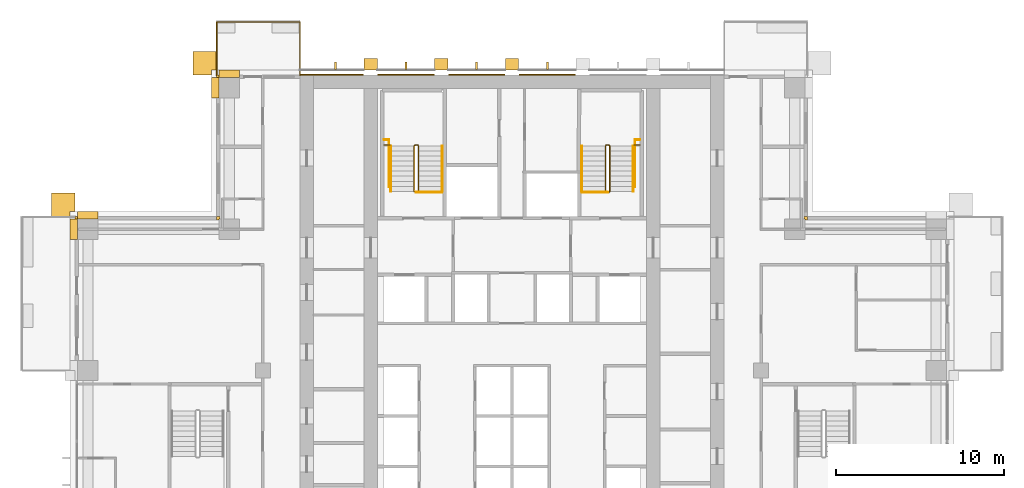
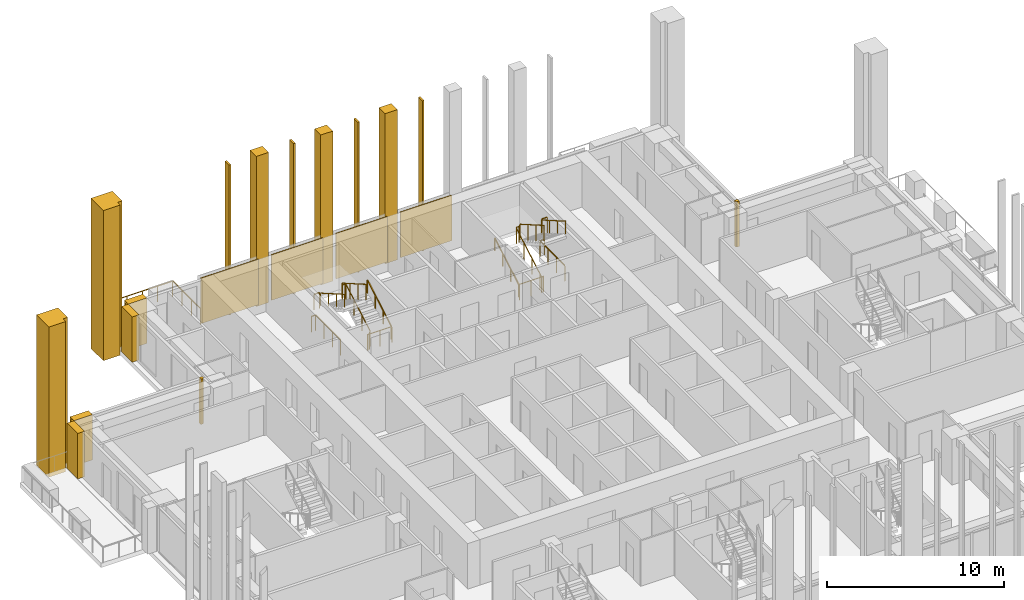
# One storey, part 17 of 18: 21 coverings, 13 railings.
"""IFC4 building model written with IfcOpenShell, lengths in metres."""

from ifc_helpers import new_model, si_unit, direction, frame, origin, origin_2d, place, context, subcontext, project, spatial, polyline, rectangle, outline, extrude, material, layer, layer_set, type_object, element, save


model = new_model("IFC4")

# Units and contexts
model_context = context("Model", 3, precision=1e-05, world=origin(), true_north=direction((0.0, 1.0)))
body_context = subcontext(model_context, "Body", "Model", "MODEL_VIEW")
ifc_project = project(units=[si_unit("LENGTHUNIT", "METRE"), si_unit("AREAUNIT", "SQUARE_METRE"), si_unit("VOLUMEUNIT", "CUBIC_METRE"), si_unit("PLANEANGLEUNIT", "RADIAN"), si_unit("MASSUNIT", "GRAM", prefix="KILO")], contexts=[model_context])

# Site, building, storey
site_placement = place(None, origin())
site = spatial("IfcSite", under=ifc_project, at=site_placement, CompositionType="ELEMENT")
building_placement = place(site_placement, origin())
building = spatial("IfcBuilding", under=site, at=building_placement, Name="Vermilion Ogive Tower", CompositionType="ELEMENT")
storey_placement = place(building_placement, frame((0.0, 0.0, 80.39990234375)))
storey = spatial("IfcBuildingStorey", under=building, at=storey_placement, Name="L19", CompositionType="ELEMENT", Elevation=80.39990234375)

# Railing
ifc_material_1 = material(Name="Stainless steel and glass", Category="steel")
railing_type_1 = type_object("IfcRailingType", Name="Balcony guard", PredefinedType="GUARDRAIL", material=ifc_material_1)
railing_1_placement = place(storey_placement, frame((-12.60009765625, 21.75, -0.039794921875)))
element("IfcRailing", 1, at=railing_1_placement, inside=storey, type_object=railing_type_1, Name="Guard N201", PredefinedType="GUARDRAIL", context=body_context, shape_type="SweptSolid", body=[
    extrude(rectangle(XDim=0.048095703125, YDim=0.048095703125, at=origin_2d()), frame((0.0, 0.0, 1.076171875), z_axis=(0.0, 1.0, 0.0), x_axis=(-1.0, 0.0, 0.0)), (0.0, 0.0, 1.0), 3.159912109375),
    extrude(rectangle(XDim=0.048095703125, YDim=0.048095703125, at=origin_2d()), frame((0.0, 3.159912109375, 1.076171875), z_axis=(-1.0, 0.0, 0.0), x_axis=(0.0, -1.0, 0.0)), (0.0, 0.0, 1.0), 4.949951171875),
    extrude(rectangle(XDim=0.048095703125, YDim=0.048095703125, at=origin_2d()), frame((-4.949951171875, 3.159912109375, 1.076171875), z_axis=(0.0, -1.0, 0.0), x_axis=(1.0, 0.0, 0.0)), (0.0, 0.0, 1.0), 3.159912109375),
    extrude(rectangle(XDim=0.0419921875, YDim=0.0419921875, at=origin_2d()), origin(), (0.0, 0.0, 1.0), 1.052001953125),
    extrude(rectangle(XDim=0.0419921875, YDim=0.0419921875, at=origin_2d()), frame((0.0, 1.05322265625, 0.0)), (0.0, 0.0, 1.0), 1.052001953125),
    extrude(rectangle(XDim=0.0419921875, YDim=0.0419921875, at=origin_2d()), frame((0.0, 2.106689453125, 0.0)), (0.0, 0.0, 1.0), 1.052001953125),
    extrude(rectangle(XDim=0.0419921875, YDim=0.0419921875, at=origin_2d()), frame((0.0, 3.159912109375, 0.0)), (0.0, 0.0, 1.0), 1.052001953125),
    extrude(rectangle(XDim=0.0419921875, YDim=0.0419921875, at=origin_2d()), frame((-0.989990234375, 3.159912109375, 0.0)), (0.0, 0.0, 1.0), 1.052001953125),
    extrude(rectangle(XDim=0.0419921875, YDim=0.0419921875, at=origin_2d()), frame((-1.97998046875, 3.159912109375, 0.0)), (0.0, 0.0, 1.0), 1.052001953125),
    extrude(rectangle(XDim=0.0419921875, YDim=0.0419921875, at=origin_2d()), frame((-2.969970703125, 3.159912109375, 0.0)), (0.0, 0.0, 1.0), 1.052001953125),
    extrude(rectangle(XDim=0.0419921875, YDim=0.0419921875, at=origin_2d()), frame((-3.9599609375, 3.159912109375, 0.0)), (0.0, 0.0, 1.0), 1.052001953125),
    extrude(rectangle(XDim=0.0419921875, YDim=0.0419921875, at=origin_2d()), frame((-4.949951171875, 3.159912109375, 0.0)), (0.0, 0.0, 1.0), 1.052001953125),
    extrude(rectangle(XDim=0.0419921875, YDim=0.0419921875, at=origin_2d()), frame((-4.949951171875, 2.106689453125, 0.0)), (0.0, 0.0, 1.0), 1.052001953125),
    extrude(rectangle(XDim=0.0419921875, YDim=0.0419921875, at=origin_2d()), frame((-4.949951171875, 1.05322265625, 0.0)), (0.0, 0.0, 1.0), 1.052001953125),
    extrude(rectangle(XDim=0.0419921875, YDim=0.0419921875, at=origin_2d()), frame((-4.949951171875, 0.0, 0.0)), (0.0, 0.0, 1.0), 1.052001953125),
])

# Coverings
ifc_material_2 = material(Name="Glazed ceramic screen")
ifc_layer = layer(ifc_material_2, 0.14990234375)
ifc_layer_set = layer_set([ifc_layer], Name="Ceramic solar screen fin")
covering_type_1 = type_object("IfcCoveringType", Name="Ceramic solar screen fin", PredefinedType="CLADDING", material=ifc_layer_set)
covering_1_placement = place(storey_placement, frame((0.0, 0.0, -0.31982421875)))
element("IfcCovering", 2, at=covering_1_placement, inside=storey, type_object=covering_type_1, Name="Solar screen blade N1", PredefinedType="CLADDING", context=body_context, shape_type="SweptSolid", body=[
    extrude(outline(polyline([(-10.56005859375, 22.08203125), (-10.43994140625, 22.08203125), (-10.43994140625, 22.531982421875), (-10.56005859375, 22.531982421875), (-10.56005859375, 22.08203125)])), origin(), (0.0, 0.0, 1.0), 10.349853515625),
])
covering_2_placement = place(storey_placement, frame((0.0, 0.0, -0.31982421875)))
element("IfcCovering", 3, at=covering_2_placement, inside=storey, type_object=covering_type_1, Name="Solar screen blade N2", PredefinedType="CLADDING", context=body_context, shape_type="SweptSolid", body=[
    extrude(outline(polyline([(-6.360107421875, 22.08203125), (-6.239990234375, 22.08203125), (-6.239990234375, 22.531982421875), (-6.360107421875, 22.531982421875), (-6.360107421875, 22.08203125)])), origin(), (0.0, 0.0, 1.0), 10.349853515625),
])
covering_3_placement = place(storey_placement, frame((0.0, 0.0, -0.31982421875)))
element("IfcCovering", 4, at=covering_3_placement, inside=storey, type_object=covering_type_1, Name="Solar screen blade N3", PredefinedType="CLADDING", context=body_context, shape_type="SweptSolid", body=[
    extrude(outline(polyline([(-2.159912109375, 22.08203125), (-2.0400390625, 22.08203125), (-2.0400390625, 22.531982421875), (-2.159912109375, 22.531982421875), (-2.159912109375, 22.08203125)])), origin(), (0.0, 0.0, 1.0), 10.349853515625),
])
covering_4_placement = place(storey_placement, frame((0.0, 0.0, -0.31982421875)))
element("IfcCovering", 5, at=covering_4_placement, inside=storey, type_object=covering_type_1, Name="Solar screen blade N4", PredefinedType="CLADDING", context=body_context, shape_type="SweptSolid", body=[
    extrude(outline(polyline([(2.0400390625, 22.08203125), (2.159912109375, 22.08203125), (2.159912109375, 22.531982421875), (2.0400390625, 22.531982421875), (2.0400390625, 22.08203125)])), origin(), (0.0, 0.0, 1.0), 10.349853515625),
])

# Railings
ifc_material_3 = material(Name="Steel S355 painted", Category="steel")
railing_type_2 = type_object("IfcRailingType", Name="Stair guard 1100", PredefinedType="GUARDRAIL", material=ifc_material_3)
railing_2_placement = place(storey_placement, frame((-5.75, 14.800048828125, 0.0)))
element("IfcRailing", 6, at=railing_2_placement, inside=storey, type_object=railing_type_2, Name="L19 ST1 stair guard 4", PredefinedType="GUARDRAIL", context=body_context, shape_type="SweptSolid", body=[
    extrude(rectangle(XDim=0.048095703125, YDim=0.048095703125, at=origin_2d()), frame((0.0, 0.0, 1.076171875), z_axis=(1.0, 0.0, 0.0), x_axis=(0.0, 1.0, 0.0)), (0.0, 0.0, 1.0), 0.14990234375),
    extrude(rectangle(XDim=0.048095703125, YDim=0.048095703125, at=origin_2d()), frame((0.14990234375, 0.0, 1.076171875), z_axis=(0.268277960024, 0.268277960024, 0.925231793839), x_axis=(-0.707106781187, 0.707106781187, 0.0)), (0.0, 0.0, 1.0), 0.1865234375),
    extrude(rectangle(XDim=0.048095703125, YDim=0.048095703125, at=origin_2d()), frame((0.199951171875, 0.050048828125, 1.24853515625), z_axis=(0.0, 0.866903762492, 0.498475542607), x_axis=(-1.0, 0.0, 0.0)), (0.0, 0.0, 1.0), 3.114501953125),
    extrude(rectangle(XDim=0.048095703125, YDim=0.048095703125, at=origin_2d()), frame((0.199951171875, 2.75, 2.80126953125), z_axis=(-0.707106781187, 0.707106781187, 0.0), x_axis=(-0.707106781187, -0.707106781187, 0.0)), (0.0, 0.0, 1.0), 0.07080078125),
    extrude(rectangle(XDim=0.048095703125, YDim=0.048095703125, at=origin_2d()), frame((0.14990234375, 2.800048828125, 2.80126953125), z_axis=(-1.0, 0.0, 0.0), x_axis=(0.0, -1.0, 0.0)), (0.0, 0.0, 1.0), 0.14990234375),
    extrude(rectangle(XDim=0.048095703125, YDim=0.048095703125, at=origin_2d()), frame((0.0, 2.800048828125, 2.80126953125), z_axis=(-0.268277960024, -0.268277960024, 0.925231793839), x_axis=(0.707106781187, -0.707106781187, 0.0)), (0.0, 0.0, 1.0), 0.1865234375),
    extrude(rectangle(XDim=0.048095703125, YDim=0.048095703125, at=origin_2d()), frame((-0.050048828125, 2.75, 2.9736328125), z_axis=(0.0, -0.866903762492, 0.498475542607), x_axis=(1.0, 0.0, 0.0)), (0.0, 0.0, 1.0), 3.114501953125),
    extrude(rectangle(XDim=0.0419921875, YDim=0.0419921875, at=origin_2d()), origin(), (0.0, 0.0, 1.0), 1.052001953125),
    extrude(rectangle(XDim=0.0419921875, YDim=0.0419921875, at=origin_2d()), frame((0.14990234375, 0.0, 0.0)), (0.0, 0.0, 1.0), 1.052001953125),
    extrude(rectangle(XDim=0.0419921875, YDim=0.0419921875, at=origin_2d()), frame((0.199951171875, 0.050048828125, 0.172607421875)), (0.0, 0.0, 1.0), 1.052001953125),
    extrude(rectangle(XDim=0.0419921875, YDim=0.0419921875, at=origin_2d()), frame((0.199951171875, 0.949951171875, 0.690185546875)), (0.0, 0.0, 1.0), 1.052001953125),
    extrude(rectangle(XDim=0.0419921875, YDim=0.0419921875, at=origin_2d()), frame((0.199951171875, 1.85009765625, 1.20751953125)), (0.0, 0.0, 1.0), 1.052001953125),
    extrude(rectangle(XDim=0.0419921875, YDim=0.0419921875, at=origin_2d()), frame((0.199951171875, 2.75, 1.72509765625)), (0.0, 0.0, 1.0), 1.052001953125),
    extrude(rectangle(XDim=0.0419921875, YDim=0.0419921875, at=origin_2d()), frame((0.14990234375, 2.800048828125, 1.72509765625)), (0.0, 0.0, 1.0), 1.052001953125),
    extrude(rectangle(XDim=0.0419921875, YDim=0.0419921875, at=origin_2d()), frame((0.0, 2.800048828125, 1.72509765625)), (0.0, 0.0, 1.0), 1.052001953125),
    extrude(rectangle(XDim=0.0419921875, YDim=0.0419921875, at=origin_2d()), frame((-0.050048828125, 2.75, 1.897705078125)), (0.0, 0.0, 1.0), 1.052001953125),
    extrude(rectangle(XDim=0.0419921875, YDim=0.0419921875, at=origin_2d()), frame((-0.050048828125, 1.85009765625, 2.415283203125)), (0.0, 0.0, 1.0), 1.052001953125),
    extrude(rectangle(XDim=0.0419921875, YDim=0.0419921875, at=origin_2d()), frame((-0.050048828125, 0.949951171875, 2.9326171875)), (0.0, 0.0, 1.0), 1.052001953125),
    extrude(rectangle(XDim=0.0419921875, YDim=0.0419921875, at=origin_2d()), frame((-0.050048828125, 0.050048828125, 3.4501953125)), (0.0, 0.0, 1.0), 1.052001953125),
])
railing_3_placement = place(storey_placement, frame((5.75, 14.800048828125, 0.0)))
element("IfcRailing", 7, at=railing_3_placement, inside=storey, type_object=railing_type_2, Name="L19 ST2 stair guard 4", PredefinedType="GUARDRAIL", context=body_context, shape_type="SweptSolid", body=[
    extrude(rectangle(XDim=0.048095703125, YDim=0.048095703125, at=origin_2d()), frame((0.0, 0.0, 1.076171875), z_axis=(-1.0, 0.0, 0.0), x_axis=(0.0, -1.0, 0.0)), (0.0, 0.0, 1.0), 0.14990234375),
    extrude(rectangle(XDim=0.048095703125, YDim=0.048095703125, at=origin_2d()), frame((-0.14990234375, 0.0, 1.076171875), z_axis=(-0.268277960024, 0.268277960024, 0.925231793839), x_axis=(-0.707106781187, -0.707106781187, 0.0)), (0.0, 0.0, 1.0), 0.1865234375),
    extrude(rectangle(XDim=0.048095703125, YDim=0.048095703125, at=origin_2d()), frame((-0.199951171875, 0.050048828125, 1.24853515625), z_axis=(0.0, 0.866903762492, 0.498475542607), x_axis=(-1.0, 0.0, 0.0)), (0.0, 0.0, 1.0), 3.114501953125),
    extrude(rectangle(XDim=0.048095703125, YDim=0.048095703125, at=origin_2d()), frame((-0.199951171875, 2.75, 2.80126953125), z_axis=(0.707106781187, 0.707106781187, 0.0), x_axis=(-0.707106781187, 0.707106781187, 0.0)), (0.0, 0.0, 1.0), 0.07080078125),
    extrude(rectangle(XDim=0.048095703125, YDim=0.048095703125, at=origin_2d()), frame((-0.14990234375, 2.800048828125, 2.80126953125), z_axis=(1.0, 0.0, 0.0), x_axis=(0.0, 1.0, 0.0)), (0.0, 0.0, 1.0), 0.14990234375),
    extrude(rectangle(XDim=0.048095703125, YDim=0.048095703125, at=origin_2d()), frame((0.0, 2.800048828125, 2.80126953125), z_axis=(0.268277960024, -0.268277960024, 0.925231793839), x_axis=(0.707106781187, 0.707106781187, 0.0)), (0.0, 0.0, 1.0), 0.1865234375),
    extrude(rectangle(XDim=0.048095703125, YDim=0.048095703125, at=origin_2d()), frame((0.050048828125, 2.75, 2.9736328125), z_axis=(0.0, -0.866903762492, 0.498475542607), x_axis=(1.0, 0.0, 0.0)), (0.0, 0.0, 1.0), 3.114501953125),
    extrude(rectangle(XDim=0.0419921875, YDim=0.0419921875, at=origin_2d()), origin(), (0.0, 0.0, 1.0), 1.052001953125),
    extrude(rectangle(XDim=0.0419921875, YDim=0.0419921875, at=origin_2d()), frame((-0.14990234375, 0.0, 0.0)), (0.0, 0.0, 1.0), 1.052001953125),
    extrude(rectangle(XDim=0.0419921875, YDim=0.0419921875, at=origin_2d()), frame((-0.199951171875, 0.050048828125, 0.172607421875)), (0.0, 0.0, 1.0), 1.052001953125),
    extrude(rectangle(XDim=0.0419921875, YDim=0.0419921875, at=origin_2d()), frame((-0.199951171875, 0.949951171875, 0.690185546875)), (0.0, 0.0, 1.0), 1.052001953125),
    extrude(rectangle(XDim=0.0419921875, YDim=0.0419921875, at=origin_2d()), frame((-0.199951171875, 1.85009765625, 1.20751953125)), (0.0, 0.0, 1.0), 1.052001953125),
    extrude(rectangle(XDim=0.0419921875, YDim=0.0419921875, at=origin_2d()), frame((-0.199951171875, 2.75, 1.72509765625)), (0.0, 0.0, 1.0), 1.052001953125),
    extrude(rectangle(XDim=0.0419921875, YDim=0.0419921875, at=origin_2d()), frame((-0.14990234375, 2.800048828125, 1.72509765625)), (0.0, 0.0, 1.0), 1.052001953125),
    extrude(rectangle(XDim=0.0419921875, YDim=0.0419921875, at=origin_2d()), frame((0.0, 2.800048828125, 1.72509765625)), (0.0, 0.0, 1.0), 1.052001953125),
    extrude(rectangle(XDim=0.0419921875, YDim=0.0419921875, at=origin_2d()), frame((0.050048828125, 2.75, 1.897705078125)), (0.0, 0.0, 1.0), 1.052001953125),
    extrude(rectangle(XDim=0.0419921875, YDim=0.0419921875, at=origin_2d()), frame((0.050048828125, 1.85009765625, 2.415283203125)), (0.0, 0.0, 1.0), 1.052001953125),
    extrude(rectangle(XDim=0.0419921875, YDim=0.0419921875, at=origin_2d()), frame((0.050048828125, 0.949951171875, 2.9326171875)), (0.0, 0.0, 1.0), 1.052001953125),
    extrude(rectangle(XDim=0.0419921875, YDim=0.0419921875, at=origin_2d()), frame((0.050048828125, 0.050048828125, 3.4501953125)), (0.0, 0.0, 1.0), 1.052001953125),
])
for number, where, name in (
    (8, (-7.60009765625, 17.60009765625, 1.72509765625), "L19 landing guard"),
    (9, (7.25, 17.60009765625, 1.72509765625), "L19 landing guard"),
):
    element("IfcRailing", number, at=place(storey_placement, frame(where)), inside=storey, type_object=railing_type_2, Name=name, PredefinedType="GUARDRAIL", context=body_context, shape_type="SweptSolid", body=[
        extrude(rectangle(XDim=0.048095703125, YDim=0.048095703125, at=origin_2d()), frame((0.0, 0.0, 1.076171875), z_axis=(1.0, 0.0, 0.0), x_axis=(0.0, 1.0, 0.0)), (0.0, 0.0, 1.0), 0.35009765625),
        extrude(rectangle(XDim=0.0419921875, YDim=0.0419921875, at=origin_2d()), origin(), (0.0, 0.0, 1.0), 1.052001953125),
        extrude(rectangle(XDim=0.0419921875, YDim=0.0419921875, at=origin_2d()), frame((0.35009765625, 0.0, 0.0)), (0.0, 0.0, 1.0), 1.052001953125),
    ])
railing_4_placement = place(storey_placement, frame((-4.159912109375, 14.7900390625, 0.0)))
element("IfcRailing", 10, at=railing_4_placement, inside=storey, type_object=railing_type_2, Name="L19 stair opening guard", PredefinedType="GUARDRAIL", context=body_context, shape_type="SweptSolid", body=[
    extrude(rectangle(XDim=0.048095703125, YDim=0.048095703125, at=origin_2d()), frame((0.0, 0.0, 1.076171875), z_axis=(-1.0, 0.0, 0.0), x_axis=(0.0, -1.0, 0.0)), (0.0, 0.0, 1.0), 1.5400390625),
    extrude(rectangle(XDim=0.0419921875, YDim=0.0419921875, at=origin_2d()), origin(), (0.0, 0.0, 1.0), 1.052001953125),
    extrude(rectangle(XDim=0.0419921875, YDim=0.0419921875, at=origin_2d()), frame((-0.77001953125, 0.0, 0.0)), (0.0, 0.0, 1.0), 1.052001953125),
    extrude(rectangle(XDim=0.0419921875, YDim=0.0419921875, at=origin_2d()), frame((-1.5400390625, 0.0, 0.0)), (0.0, 0.0, 1.0), 1.052001953125),
])
railing_5_placement = place(storey_placement, frame((-7.309814453125, 15.119384765625, 0.0)))
element("IfcRailing", 11, at=railing_5_placement, inside=storey, type_object=railing_type_2, Name="L19 stair opening guard", PredefinedType="GUARDRAIL", context=body_context, shape_type="SweptSolid", body=[
    extrude(rectangle(XDim=0.048095703125, YDim=0.048095703125, at=origin_2d()), frame((0.0, 0.0, 1.076171875), z_axis=(0.0, 1.0, 0.0), x_axis=(-1.0, 0.0, 0.0)), (0.0, 0.0, 1.0), 2.804443359375),
    extrude(rectangle(XDim=0.048095703125, YDim=0.048095703125, at=origin_2d()), frame((0.0, 2.804443359375, 1.076171875), z_axis=(-1.0, 0.0, 0.0), x_axis=(0.0, -1.0, 0.0)), (0.0, 0.0, 1.0), 0.289794921875),
    extrude(rectangle(XDim=0.0419921875, YDim=0.0419921875, at=origin_2d()), origin(), (0.0, 0.0, 1.0), 1.052001953125),
    extrude(rectangle(XDim=0.0419921875, YDim=0.0419921875, at=origin_2d()), frame((0.0, 0.934814453125, 0.0)), (0.0, 0.0, 1.0), 1.052001953125),
    extrude(rectangle(XDim=0.0419921875, YDim=0.0419921875, at=origin_2d()), frame((0.0, 1.86962890625, 0.0)), (0.0, 0.0, 1.0), 1.052001953125),
    extrude(rectangle(XDim=0.0419921875, YDim=0.0419921875, at=origin_2d()), frame((0.0, 2.804443359375, 0.0)), (0.0, 0.0, 1.0), 1.052001953125),
    extrude(rectangle(XDim=0.0419921875, YDim=0.0419921875, at=origin_2d()), frame((-0.289794921875, 2.804443359375, 0.0)), (0.0, 0.0, 1.0), 1.052001953125),
])
railing_6_placement = place(storey_placement, frame((7.599609375, 17.923828125, 0.0)))
element("IfcRailing", 12, at=railing_6_placement, inside=storey, type_object=railing_type_2, Name="L19 stair opening guard", PredefinedType="GUARDRAIL", context=body_context, shape_type="SweptSolid", body=[
    extrude(rectangle(XDim=0.048095703125, YDim=0.048095703125, at=origin_2d()), frame((0.0, 0.0, 1.076171875), z_axis=(-1.0, 0.0, 0.0), x_axis=(0.0, -1.0, 0.0)), (0.0, 0.0, 1.0), 0.289794921875),
    extrude(rectangle(XDim=0.048095703125, YDim=0.048095703125, at=origin_2d()), frame((-0.289794921875, 0.0, 1.076171875), z_axis=(0.0, -1.0, 0.0), x_axis=(1.0, 0.0, 0.0)), (0.0, 0.0, 1.0), 2.804443359375),
    extrude(rectangle(XDim=0.0419921875, YDim=0.0419921875, at=origin_2d()), origin(), (0.0, 0.0, 1.0), 1.052001953125),
    extrude(rectangle(XDim=0.0419921875, YDim=0.0419921875, at=origin_2d()), frame((-0.289794921875, 0.0, 0.0)), (0.0, 0.0, 1.0), 1.052001953125),
    extrude(rectangle(XDim=0.0419921875, YDim=0.0419921875, at=origin_2d()), frame((-0.289794921875, -0.934814453125, 0.0)), (0.0, 0.0, 1.0), 1.052001953125),
    extrude(rectangle(XDim=0.0419921875, YDim=0.0419921875, at=origin_2d()), frame((-0.289794921875, -1.86962890625, 0.0)), (0.0, 0.0, 1.0), 1.052001953125),
    extrude(rectangle(XDim=0.0419921875, YDim=0.0419921875, at=origin_2d()), frame((-0.289794921875, -2.804443359375, 0.0)), (0.0, 0.0, 1.0), 1.052001953125),
])
railing_7_placement = place(storey_placement, frame((5.699951171875, 14.7900390625, 0.0)))
element("IfcRailing", 13, at=railing_7_placement, inside=storey, type_object=railing_type_2, Name="L19 stair opening guard", PredefinedType="GUARDRAIL", context=body_context, shape_type="SweptSolid", body=[
    extrude(rectangle(XDim=0.048095703125, YDim=0.048095703125, at=origin_2d()), frame((0.0, 0.0, 1.076171875), z_axis=(-1.0, 0.0, 0.0), x_axis=(0.0, -1.0, 0.0)), (0.0, 0.0, 1.0), 1.5400390625),
    extrude(rectangle(XDim=0.0419921875, YDim=0.0419921875, at=origin_2d()), origin(), (0.0, 0.0, 1.0), 1.052001953125),
    extrude(rectangle(XDim=0.0419921875, YDim=0.0419921875, at=origin_2d()), frame((-0.77001953125, 0.0, 0.0)), (0.0, 0.0, 1.0), 1.052001953125),
    extrude(rectangle(XDim=0.0419921875, YDim=0.0419921875, at=origin_2d()), frame((-1.5400390625, 0.0, 0.0)), (0.0, 0.0, 1.0), 1.052001953125),
])
ifc_material_4 = material(Name="Stainless steel", Category="steel")
railing_type_3 = type_object("IfcRailingType", Name="Stair handrail 900", PredefinedType="HANDRAIL", material=ifc_material_4)
railing_8_placement = place(storey_placement, frame((-4.14990234375, 14.85009765625, 0.172607421875)))
element("IfcRailing", 14, at=railing_8_placement, inside=storey, type_object=railing_type_3, Name="L19 ST1 stair handrail 1", PredefinedType="HANDRAIL", context=body_context, shape_type="SweptSolid", body=[
    extrude(rectangle(XDim=0.048095703125, YDim=0.048095703125, at=origin_2d()), frame((0.0, 0.0, 0.8759765625), z_axis=(0.0, 0.866903762492, 0.498475542607), x_axis=(-1.0, 0.0, 0.0)), (0.0, 0.0, 1.0), 3.114501953125),
    extrude(rectangle(XDim=0.0419921875, YDim=0.0419921875, at=origin_2d()), origin(), (0.0, 0.0, 1.0), 0.851806640625),
    extrude(rectangle(XDim=0.0419921875, YDim=0.0419921875, at=origin_2d()), frame((0.0, 0.89990234375, 0.517578125)), (0.0, 0.0, 1.0), 0.851806640625),
    extrude(rectangle(XDim=0.0419921875, YDim=0.0419921875, at=origin_2d()), frame((0.0, 1.800048828125, 1.034912109375)), (0.0, 0.0, 1.0), 0.851806640625),
    extrude(rectangle(XDim=0.0419921875, YDim=0.0419921875, at=origin_2d()), frame((0.0, 2.699951171875, 1.552490234375)), (0.0, 0.0, 1.0), 0.851806640625),
])
railing_9_placement = place(storey_placement, frame((-7.199951171875, 17.550048828125, 1.897705078125)))
element("IfcRailing", 15, at=railing_9_placement, inside=storey, type_object=railing_type_3, Name="L19 ST1 stair handrail 2", PredefinedType="HANDRAIL", context=body_context, shape_type="SweptSolid", body=[
    extrude(rectangle(XDim=0.048095703125, YDim=0.048095703125, at=origin_2d()), frame((0.0, 0.0, 0.8759765625), z_axis=(0.0, -0.866903762492, 0.498475542607), x_axis=(1.0, 0.0, 0.0)), (0.0, 0.0, 1.0), 3.114501953125),
    extrude(rectangle(XDim=0.0419921875, YDim=0.0419921875, at=origin_2d()), origin(), (0.0, 0.0, 1.0), 0.851806640625),
    extrude(rectangle(XDim=0.0419921875, YDim=0.0419921875, at=origin_2d()), frame((0.0, -0.89990234375, 0.517578125)), (0.0, 0.0, 1.0), 0.851806640625),
    extrude(rectangle(XDim=0.0419921875, YDim=0.0419921875, at=origin_2d()), frame((0.0, -1.800048828125, 1.034912109375)), (0.0, 0.0, 1.0), 0.851806640625),
    extrude(rectangle(XDim=0.0419921875, YDim=0.0419921875, at=origin_2d()), frame((0.0, -2.699951171875, 1.552490234375)), (0.0, 0.0, 1.0), 0.851806640625),
])
railing_10_placement = place(storey_placement, frame((4.14990234375, 14.85009765625, 0.172607421875)))
element("IfcRailing", 16, at=railing_10_placement, inside=storey, type_object=railing_type_3, Name="L19 ST2 stair handrail 1", PredefinedType="HANDRAIL", context=body_context, shape_type="SweptSolid", body=[
    extrude(rectangle(XDim=0.048095703125, YDim=0.048095703125, at=origin_2d()), frame((0.0, 0.0, 0.8759765625), z_axis=(0.0, 0.866903762492, 0.498475542607), x_axis=(-1.0, 0.0, 0.0)), (0.0, 0.0, 1.0), 3.114501953125),
    extrude(rectangle(XDim=0.0419921875, YDim=0.0419921875, at=origin_2d()), origin(), (0.0, 0.0, 1.0), 0.851806640625),
    extrude(rectangle(XDim=0.0419921875, YDim=0.0419921875, at=origin_2d()), frame((0.0, 0.89990234375, 0.517578125)), (0.0, 0.0, 1.0), 0.851806640625),
    extrude(rectangle(XDim=0.0419921875, YDim=0.0419921875, at=origin_2d()), frame((0.0, 1.800048828125, 1.034912109375)), (0.0, 0.0, 1.0), 0.851806640625),
    extrude(rectangle(XDim=0.0419921875, YDim=0.0419921875, at=origin_2d()), frame((0.0, 2.699951171875, 1.552490234375)), (0.0, 0.0, 1.0), 0.851806640625),
])
railing_11_placement = place(storey_placement, frame((7.199951171875, 17.550048828125, 1.897705078125)))
element("IfcRailing", 17, at=railing_11_placement, inside=storey, type_object=railing_type_3, Name="L19 ST2 stair handrail 2", PredefinedType="HANDRAIL", context=body_context, shape_type="SweptSolid", body=[
    extrude(rectangle(XDim=0.048095703125, YDim=0.048095703125, at=origin_2d()), frame((0.0, 0.0, 0.8759765625), z_axis=(0.0, -0.866903762492, 0.498475542607), x_axis=(1.0, 0.0, 0.0)), (0.0, 0.0, 1.0), 3.114501953125),
    extrude(rectangle(XDim=0.0419921875, YDim=0.0419921875, at=origin_2d()), origin(), (0.0, 0.0, 1.0), 0.851806640625),
    extrude(rectangle(XDim=0.0419921875, YDim=0.0419921875, at=origin_2d()), frame((0.0, -0.89990234375, 0.517578125)), (0.0, 0.0, 1.0), 0.851806640625),
    extrude(rectangle(XDim=0.0419921875, YDim=0.0419921875, at=origin_2d()), frame((0.0, -1.800048828125, 1.034912109375)), (0.0, 0.0, 1.0), 0.851806640625),
    extrude(rectangle(XDim=0.0419921875, YDim=0.0419921875, at=origin_2d()), frame((0.0, -2.699951171875, 1.552490234375)), (0.0, 0.0, 1.0), 0.851806640625),
])

# Coverings
ifc_material_5 = material(Name="Stone cladding", Category="masonry")
covering_type_2 = type_object("IfcCoveringType", Name="Stone buttress pier", PredefinedType="CLADDING", material=ifc_material_5)
covering_5_placement = place(storey_placement, frame((0.0, 0.0, -0.31982421875)))
element("IfcCovering", 18, at=covering_5_placement, inside=storey, type_object=covering_type_2, Name="Stone buttress pier N1", PredefinedType="CLADDING", context=body_context, shape_type="SweptSolid", body=[
    extrude(outline(polyline([(-8.0, 22.75), (-8.0, 22.050048828125), (-8.800048828125, 22.050048828125), (-8.800048828125, 22.75), (-8.0, 22.75)])), origin(), (0.0, 0.0, 1.0), 10.349853515625),
])
covering_6_placement = place(storey_placement, frame((0.0, 0.0, -0.31982421875)))
element("IfcCovering", 19, at=covering_6_placement, inside=storey, type_object=covering_type_2, Name="Stone buttress pier N2", PredefinedType="CLADDING", context=body_context, shape_type="SweptSolid", body=[
    extrude(outline(polyline([(-3.800048828125, 22.75), (-3.800048828125, 22.050048828125), (-4.60009765625, 22.050048828125), (-4.60009765625, 22.75), (-3.800048828125, 22.75)])), origin(), (0.0, 0.0, 1.0), 10.349853515625),
])
covering_7_placement = place(storey_placement, frame((0.0, 0.0, -0.31982421875)))
element("IfcCovering", 20, at=covering_7_placement, inside=storey, type_object=covering_type_2, Name="Stone buttress pier N3", PredefinedType="CLADDING", context=body_context, shape_type="SweptSolid", body=[
    extrude(outline(polyline([(0.39990234375, 22.75), (0.39990234375, 22.050048828125), (-0.39990234375, 22.050048828125), (-0.39990234375, 22.75), (0.39990234375, 22.75)])), origin(), (0.0, 0.0, 1.0), 10.349853515625),
])
ifc_material_6 = material(Name="Stone cladding", Category="masonry")
covering_type_3 = type_object("IfcCoveringType", Name="Stone cladding panel", PredefinedType="CLADDING", material=ifc_material_6)
covering_8_placement = place(storey_placement, origin())
element("IfcCovering", 21, at=covering_8_placement, inside=storey, type_object=covering_type_3, Name="Stone cladding panel N1", PredefinedType="CLADDING", context=body_context, shape_type="SweptSolid", body=[
    extrude(outline(polyline([(-12.590087890625, 21.75), (-8.830078125, 21.75), (-8.830078125, 21.81005859375), (-12.590087890625, 21.81005859375), (-12.590087890625, 21.75)])), origin(), (0.0, 0.0, 1.0), 3.130126953125),
])
covering_9_placement = place(storey_placement, origin())
element("IfcCovering", 22, at=covering_9_placement, inside=storey, type_object=covering_type_3, Name="Stone cladding panel N2", PredefinedType="CLADDING", context=body_context, shape_type="SweptSolid", body=[
    extrude(outline(polyline([(-7.969970703125, 21.75), (-4.6298828125, 21.75), (-4.6298828125, 21.81005859375), (-7.969970703125, 21.81005859375), (-7.969970703125, 21.75)])), origin(), (0.0, 0.0, 1.0), 3.130126953125),
])
covering_10_placement = place(storey_placement, origin())
element("IfcCovering", 23, at=covering_10_placement, inside=storey, type_object=covering_type_3, Name="Stone cladding panel N3", PredefinedType="CLADDING", context=body_context, shape_type="SweptSolid", body=[
    extrude(outline(polyline([(-3.77001953125, 21.75), (-0.429931640625, 21.75), (-0.429931640625, 21.81005859375), (-3.77001953125, 21.81005859375), (-3.77001953125, 21.75)])), origin(), (0.0, 0.0, 1.0), 3.130126953125),
])
covering_11_placement = place(storey_placement, origin())
element("IfcCovering", 24, at=covering_11_placement, inside=storey, type_object=covering_type_3, Name="Stone cladding panel N4", PredefinedType="CLADDING", context=body_context, shape_type="SweptSolid", body=[
    extrude(outline(polyline([(0.429931640625, 21.75), (3.77001953125, 21.75), (3.77001953125, 21.81005859375), (0.429931640625, 21.81005859375), (0.429931640625, 21.75)])), origin(), (0.0, 0.0, 1.0), 3.130126953125),
])
ifc_material_7 = material(Name="Stone cladding", Category="masonry")
covering_type_4 = type_object("IfcCoveringType", Name="Stone corner buttress", PredefinedType="CLADDING", material=ifc_material_7)
covering_12_placement = place(storey_placement, frame((0.0, 0.0, -0.31982421875)))
element("IfcCovering", 25, at=covering_12_placement, inside=storey, type_object=covering_type_4, Name="Stone corner buttress X51", PredefinedType="CLADDING", context=body_context, shape_type="SweptSolid", body=[
    extrude(outline(polyline([(-17.550048828125, 23.14990234375), (-17.550048828125, 22.050048828125), (-17.85009765625, 22.050048828125), (-17.85009765625, 21.75), (-18.949951171875, 21.75), (-18.949951171875, 23.14990234375), (-17.550048828125, 23.14990234375)])), origin(), (0.0, 0.0, 1.0), 10.349853515625),
])
covering_13_placement = place(storey_placement, frame((0.0, 0.0, -0.31982421875)))
element("IfcCovering", 26, at=covering_13_placement, inside=storey, type_object=covering_type_4, Name="Stone corner buttress W1", PredefinedType="CLADDING", context=body_context, shape_type="SweptSolid", body=[
    extrude(outline(polyline([(-26.25, 13.64990234375), (-26.25, 13.35009765625), (-27.35009765625, 13.35009765625), (-27.35009765625, 14.75), (-25.949951171875, 14.75), (-25.949951171875, 13.64990234375), (-26.25, 13.64990234375)])), origin(), (0.0, 0.0, 1.0), 10.349853515625),
])
ifc_material_8 = material(Name="Stone cladding", Category="masonry")
covering_type_5 = type_object("IfcCoveringType", Name="Stone pier", PredefinedType="CLADDING", material=ifc_material_8)
covering_14_placement = place(storey_placement, origin())
element("IfcCovering", 27, at=covering_14_placement, inside=storey, type_object=covering_type_5, Name="Stone corner pier X3E1", PredefinedType="CLADDING", context=body_context, shape_type="SweptSolid", body=[
    extrude(outline(polyline([(17.39990234375, 13.14990234375), (17.39990234375, 13.199951171875), (17.35009765625, 13.199951171875), (17.35009765625, 13.35009765625), (17.550048828125, 13.35009765625), (17.550048828125, 13.14990234375), (17.39990234375, 13.14990234375)])), origin(), (0.0, 0.0, 1.0), 3.130126953125),
])
covering_15_placement = place(storey_placement, origin())
element("IfcCovering", 28, at=covering_15_placement, inside=storey, type_object=covering_type_5, Name="Stone corner pier N2E1", PredefinedType="CLADDING", context=body_context, shape_type="SweptSolid", body=[
    extrude(outline(polyline([(-17.39990234375, 21.75), (-17.39990234375, 21.60009765625), (-17.39990234375, 21.60009765625), (-17.550048828125, 21.60009765625), (-17.550048828125, 21.75), (-17.39990234375, 21.75)])), origin(), (0.0, 0.0, 1.0), 3.130126953125),
])
covering_16_placement = place(storey_placement, origin())
element("IfcCovering", 29, at=covering_16_placement, inside=storey, type_object=covering_type_5, Name="Stone corner pier X5E1", PredefinedType="CLADDING", context=body_context, shape_type="SweptSolid", body=[
    extrude(outline(polyline([(-17.35009765625, 13.199951171875), (-17.39990234375, 13.199951171875), (-17.39990234375, 13.14990234375), (-17.550048828125, 13.14990234375), (-17.550048828125, 13.35009765625), (-17.35009765625, 13.35009765625), (-17.35009765625, 13.199951171875)])), origin(), (0.0, 0.0, 1.0), 3.130126953125),
])
covering_17_placement = place(storey_placement, origin())
element("IfcCovering", 30, at=covering_17_placement, inside=storey, type_object=covering_type_5, Name="Stone corner pier X6E1", PredefinedType="CLADDING", context=body_context, shape_type="SweptSolid", body=[
    extrude(outline(polyline([(-25.800048828125, 13.35009765625), (-25.800048828125, 13.199951171875), (-25.949951171875, 13.199951171875), (-25.949951171875, 13.35009765625), (-25.800048828125, 13.35009765625)])), origin(), (0.0, 0.0, 1.0), 3.130126953125),
])
covering_18_placement = place(storey_placement, origin())
element("IfcCovering", 31, at=covering_18_placement, inside=storey, type_object=covering_type_5, Name="Stone pier P-0168+210N2", PredefinedType="CLADDING", context=body_context, shape_type="SweptSolid", body=[
    extrude(outline(polyline([(-17.39990234375, 22.050048828125), (-16.199951171875, 22.050048828125), (-16.199951171875, 21.60009765625), (-17.39990234375, 21.60009765625), (-17.39990234375, 22.050048828125)])), origin(), (0.0, 0.0, 1.0), 3.130126953125),
])
covering_19_placement = place(storey_placement, origin())
element("IfcCovering", 32, at=covering_19_placement, inside=storey, type_object=covering_type_5, Name="Stone pier P-0168+210X5", PredefinedType="CLADDING", context=body_context, shape_type="SweptSolid", body=[
    extrude(outline(polyline([(-17.85009765625, 21.60009765625), (-17.39990234375, 21.60009765625), (-17.39990234375, 20.39990234375), (-17.85009765625, 20.39990234375), (-17.85009765625, 21.60009765625)])), origin(), (0.0, 0.0, 1.0), 3.130126953125),
])
covering_20_placement = place(storey_placement, origin())
element("IfcCovering", 33, at=covering_20_placement, inside=storey, type_object=covering_type_5, Name="Stone pier P-0252+126X6", PredefinedType="CLADDING", context=body_context, shape_type="SweptSolid", body=[
    extrude(outline(polyline([(-25.800048828125, 13.199951171875), (-25.800048828125, 13.64990234375), (-24.60009765625, 13.64990234375), (-24.60009765625, 13.199951171875), (-24.60009765625, 13.199951171875), (-25.800048828125, 13.199951171875)])), origin(), (0.0, 0.0, 1.0), 3.130126953125),
])
covering_21_placement = place(storey_placement, origin())
element("IfcCovering", 34, at=covering_21_placement, inside=storey, type_object=covering_type_5, Name="Stone pier P-0252+126W", PredefinedType="CLADDING", context=body_context, shape_type="SweptSolid", body=[
    extrude(outline(polyline([(-26.25, 13.199951171875), (-25.800048828125, 13.199951171875), (-25.800048828125, 12.0), (-26.25, 12.0), (-26.25, 13.199951171875)])), origin(), (0.0, 0.0, 1.0), 3.130126953125),
])

save(model, "model.ifc")
